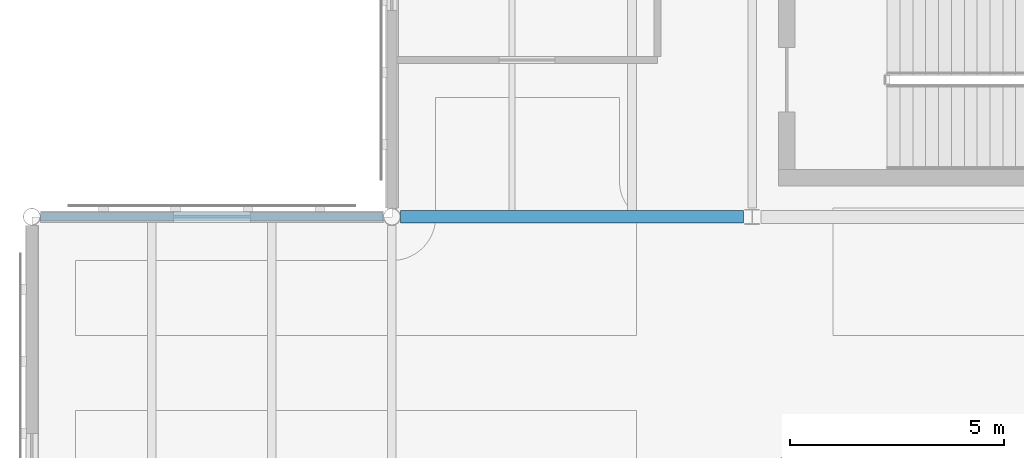
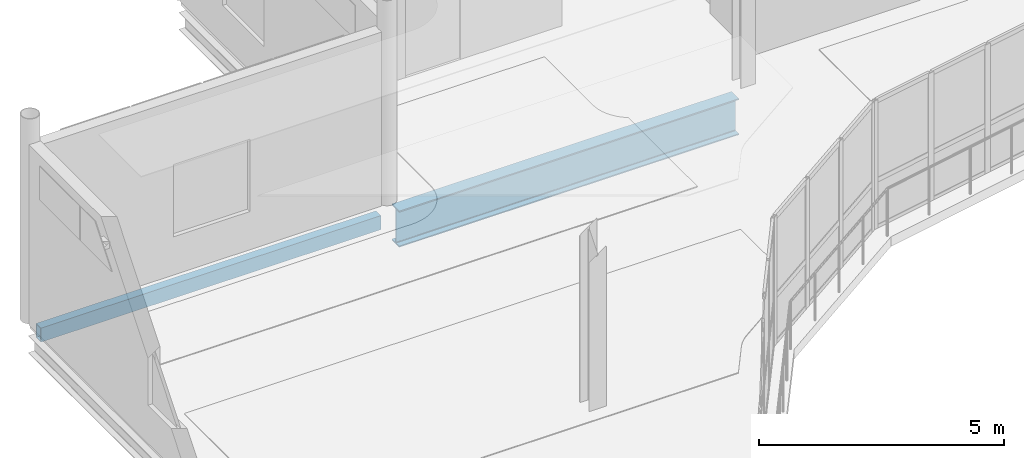
# One storey, part 27 of 104: 2 beams.
"""IFC4 building model written with IfcOpenShell, lengths in metres."""

import ifcopenshell
import ifcopenshell.guid

model = None  # the IFC model being written
_history = None  # IfcOwnerHistory: only IFC2X3 demands one
_inside = {}  # id of a spatial element -> (the spatial element, [elements in it])
_under = {}  # id of a project, library or spatial element -> (it, [spatial elements below it])
_declared = {}  # id of a project -> (the project, [libraries it declares])
_typed = {}  # id of a type object -> (the type object, [elements of that type])
_made_of = {}  # id of a material, layer set ... -> (it, [elements and type objects made of it])


def new_model(schema):
    """Start an empty IFC model of exactly this schema.

    Asked for "IFC4X3", IfcOpenShell would pick the latest addendum, in which some entities
    have other attributes; the version numbers below select the first issue.
    IFC2X3 requires an IfcOwnerHistory on every rooted entity: one is made here for all.
    """
    global model, _history
    if schema == "IFC4X3":
        model = ifcopenshell.file(schema_version=(4, 3, 0, 0))
    else:
        model = ifcopenshell.file(schema=schema)
    _inside.clear()
    _under.clear()
    _declared.clear()
    _typed.clear()
    _made_of.clear()
    _history = None
    if model.schema == "IFC2X3":
        org = make("IfcOrganization", Name="unknown")
        user = make(
            "IfcPersonAndOrganization",
            ThePerson=make("IfcPerson", FamilyName="unknown"),
            TheOrganization=org,
        )
        app = make(
            "IfcApplication",
            ApplicationDeveloper=org,
            Version="unknown",
            ApplicationFullName="unknown",
            ApplicationIdentifier="unknown",
        )
        _history = make(
            "IfcOwnerHistory",
            OwningUser=user,
            OwningApplication=app,
            ChangeAction="ADDED",
            CreationDate=0,
        )
    return model


def make(cls, **values):
    """One entity of the class cls with the attributes given. An attribute that is None is left unset."""
    return model.create_entity(
        cls, **{name: value for name, value in values.items() if value is not None}
    )


def rooted(cls, **values):
    """An entity with a GlobalId (a new one), such as an element, a storey or a relation."""
    return make(cls, GlobalId=ifcopenshell.guid.new(), OwnerHistory=_history, **values)


def si_unit(unit_type, name, prefix=None):
    """IfcSIUnit, for example si_unit("LENGTHUNIT", "METRE", prefix="MILLI")."""
    return make("IfcSIUnit", UnitType=unit_type, Prefix=prefix, Name=name)


def assignment(units):
    """IfcUnitAssignment: the units of a project."""
    return None if units is None else make("IfcUnitAssignment", Units=units)


def point(xyz):
    """IfcCartesianPoint."""
    return None if xyz is None else make("IfcCartesianPoint", Coordinates=xyz)


def direction(xyz):
    """IfcDirection."""
    return None if xyz is None else make("IfcDirection", DirectionRatios=xyz)


def frame(location, z_axis=None, x_axis=None):
    """IfcAxis2Placement3D, a coordinate frame: its origin and axes. An axis left out is left unset."""
    return make(
        "IfcAxis2Placement3D",
        Location=point(location),
        Axis=direction(z_axis),
        RefDirection=direction(x_axis),
    )


def frame_2d(location, x_axis=None):
    """IfcAxis2Placement2D, a coordinate frame in the plane: its origin and x axis."""
    return make(
        "IfcAxis2Placement2D", Location=point(location), RefDirection=direction(x_axis)
    )


def origin():
    """The frame at (0, 0, 0) with its axes left unset."""
    return frame((0.0, 0.0, 0.0))


def origin_2d():
    """The frame at (0, 0) in the plane with its x axis left unset."""
    return frame_2d((0.0, 0.0))


def place(relative_to, where):
    """IfcLocalPlacement: puts the frame where relative to a parent placement (None: the world)."""
    return make(
        "IfcLocalPlacement", PlacementRelTo=relative_to, RelativePlacement=where
    )


def context(
    kind, dimensions, precision=None, world=None, true_north=None, identifier=None
):
    """IfcGeometricRepresentationContext, for example the 3D "Model" context."""
    return make(
        "IfcGeometricRepresentationContext",
        ContextIdentifier=identifier,
        ContextType=kind,
        CoordinateSpaceDimension=dimensions,
        Precision=precision,
        WorldCoordinateSystem=world,
        TrueNorth=true_north,
    )


def subcontext(parent, identifier, kind, view, scale=None):
    """IfcGeometricRepresentationSubContext, for example "Body" below "Model"."""
    return make(
        "IfcGeometricRepresentationSubContext",
        ContextIdentifier=identifier,
        ContextType=kind,
        ParentContext=parent,
        TargetScale=scale,
        TargetView=view,
    )


def project(units=None, contexts=None):
    """IfcProject with its units and contexts."""
    return rooted(
        "IfcProject",
        Name="project",
        RepresentationContexts=contexts,
        UnitsInContext=assignment(units),
    )


def spatial(cls, under=None, at=None, **own):
    """A site, building, storey or space (cls), placed at a placement, below another one or the project."""
    s = rooted(cls, ObjectPlacement=at, **own)
    if under is not None:
        _under.setdefault(under.id(), (under, []))[1].append(s)
    return s


def profile(cls, at=None, kind="AREA", **sizes):
    """A parametric profile (cls). Its sizes go by their IFC names, for example OverallWidth=200.0."""
    return make(cls, ProfileType=kind, Position=at, **sizes)


def hollow_rectangle(**sizes):
    """IfcRectangleHollowProfileDef."""
    return profile("IfcRectangleHollowProfileDef", **sizes)


def i_section(**sizes):
    """IfcIShapeProfileDef."""
    return profile("IfcIShapeProfileDef", **sizes)


def extrude(swept, where, along, depth):
    """IfcExtrudedAreaSolid: the profile swept, set in the frame where, extruded along a direction by depth."""
    return make(
        "IfcExtrudedAreaSolid",
        SweptArea=swept,
        Position=where,
        ExtrudedDirection=direction(along),
        Depth=depth,
    )


def shape(context_of_items, identifier, shape_type, items):
    """IfcShapeRepresentation: the items that make up one representation, for example the "Body"."""
    return make(
        "IfcShapeRepresentation",
        ContextOfItems=context_of_items,
        RepresentationIdentifier=identifier,
        RepresentationType=shape_type,
        Items=items,
    )


def material(Name=None, Category=None):
    """IfcMaterial."""
    return make("IfcMaterial", Name=Name, Category=Category)


def material_profile(
    of_material, cross_section, Name=None, Category=None, Priority=None
):
    """IfcMaterialProfile: a cross section and its material."""
    return make(
        "IfcMaterialProfile",
        Name=Name,
        Material=of_material,
        Profile=cross_section,
        Priority=Priority,
        Category=Category,
    )


def profile_set(profiles, Name=None, composite=None):
    """IfcMaterialProfileSet."""
    return make(
        "IfcMaterialProfileSet",
        Name=Name,
        MaterialProfiles=profiles,
        CompositeProfile=composite,
    )


def made_of(thing, what):
    """Note that an element or type object is made of a material, layer set ...; save() writes the relation."""
    if what is not None:
        _made_of.setdefault(what.id(), (what, []))[1].append(thing)
    return thing


def type_object(cls, material=None, **own):
    """A type object (cls), such as IfcWallType, which elements share."""
    return made_of(rooted(cls, **own), material)


def element(
    cls,
    number,
    at=None,
    inside=None,
    cuts=None,
    type_object=None,
    material=None,
    context=None,
    identifier="Body",
    shape_type=None,
    held_by="IfcProductDefinitionShape",
    body=None,
    shapes=None,
    **own,
):
    """One element of the class cls, such as IfcWall. Its Tag is "e" and its number.

    at: its placement. inside: the storey or other place that contains it. cuts: it is an
    opening in that element (IfcRelVoidsElement). A single representation is given by context,
    identifier, shape_type and body (its items); several are given by shapes. held_by: the class
    of the entity that holds the representations. save() writes the other relations.
    """
    e = rooted(cls, Tag="e%d" % number, ObjectPlacement=at, **own)
    if body is not None:
        shapes = [shape(context, identifier, shape_type, body)]
    if shapes is not None:
        e.Representation = make(held_by, Representations=shapes)
    if inside is not None:
        _inside.setdefault(inside.id(), (inside, []))[1].append(e)
    if cuts is not None:
        rooted(
            "IfcRelVoidsElement", RelatingBuildingElement=cuts, RelatedOpeningElement=e
        )
    if type_object is not None:
        _typed.setdefault(type_object.id(), (type_object, []))[1].append(e)
    return made_of(e, material)


def aggregate(whole, parts):
    """IfcRelAggregates: a whole, such as a stair, and the parts it consists of."""
    return rooted("IfcRelAggregates", RelatingObject=whole, RelatedObjects=parts)


def save(model, path):
    """Write the relations noted so far, then the file.

    IfcRelAggregates (storeys below a building ...), IfcRelContainedInSpatialStructure (elements
    in a storey), IfcRelDefinesByType, IfcRelAssociatesMaterial and IfcRelDeclares: one each for
    every whole, place, type object, material and project.
    """
    for whole, parts in _under.values():
        aggregate(whole, parts)
    for where, things in _inside.values():
        rooted(
            "IfcRelContainedInSpatialStructure",
            RelatedElements=things,
            RelatingStructure=where,
        )
    for kind, things in _typed.values():
        rooted("IfcRelDefinesByType", RelatedObjects=things, RelatingType=kind)
    for what, things in _made_of.values():
        rooted("IfcRelAssociatesMaterial", RelatedObjects=things, RelatingMaterial=what)
    for by, libraries in _declared.values():
        rooted("IfcRelDeclares", RelatingContext=by, RelatedDefinitions=libraries)
    model.write(path)


model = new_model("IFC4")

# Units and contexts
model_context = context("Model", 3, precision=1e-05, world=origin(), true_north=direction((0.0, 1.0)))
body_context = subcontext(model_context, "Body", "Model", "MODEL_VIEW")
ifc_project = project(units=[si_unit("LENGTHUNIT", "METRE"), si_unit("AREAUNIT", "SQUARE_METRE"), si_unit("VOLUMEUNIT", "CUBIC_METRE"), si_unit("PLANEANGLEUNIT", "RADIAN"), si_unit("MASSUNIT", "GRAM", prefix="KILO"), si_unit("THERMODYNAMICTEMPERATUREUNIT", "KELVIN")], contexts=[model_context])

# Site, building, storey
site_placement = place(None, origin())
site = spatial("IfcSite", under=ifc_project, at=site_placement, CompositionType="ELEMENT")
building_placement = place(site_placement, origin())
building = spatial("IfcBuilding", under=site, at=building_placement, Name="Lustrewick Department Store", CompositionType="ELEMENT")
storey_placement = place(building_placement, frame((0.0, 0.0, 11.39990234375)))
storey = spatial("IfcBuildingStorey", under=building, at=storey_placement, Name="L03", CompositionType="ELEMENT", Elevation=11.39990234375)

# Beams
ifc_material = material(Name="Structural steel Q355C", Category="steel")
ifc_material_profile_1 = material_profile(ifc_material, i_section(OverallWidth=0.300048828125, OverallDepth=0.89990234375, WebThickness=0.01611328125, FlangeThickness=0.028076171875, FilletRadius=0.02392578125, at=origin_2d()), Name="HN 900x300x16x28")
ifc_profile_set_1 = profile_set([ifc_material_profile_1], Name="Structural steel Q355C")
beam_type_1 = type_object("IfcBeamType", Name="G02", PredefinedType="BEAM", material=ifc_profile_set_1)
beam_1_placement = place(storey_placement, frame((17.0029296875, 84.0, -0.704833984375), z_axis=(1.0, 0.0, 0.0), x_axis=(0.0, 1.0, 0.0)))
element("IfcBeam", 1, at=beam_1_placement, inside=storey, type_object=beam_type_1, Name="L03 V1 Girder G02", PredefinedType="BEAM", context=body_context, shape_type="SweptSolid", body=[
    extrude(i_section(OverallWidth=0.300048828125, OverallDepth=0.89990234375, WebThickness=0.01611328125, FlangeThickness=0.028076171875, FilletRadius=0.02392578125, at=origin_2d()), origin(), (0.0, 0.0, 1.0), 7.99462890625),
])
ifc_material_profile_2 = material_profile(ifc_material, hollow_rectangle(XDim=0.199951171875, YDim=0.35009765625, WallThickness=0.011962890625, at=origin_2d()), Name="RHS 350x200x12")
ifc_profile_set_2 = profile_set([ifc_material_profile_2], Name="Structural steel Q355C")
beam_type_2 = type_object("IfcBeamType", Name="SP03", PredefinedType="SPANDREL", material=ifc_profile_set_2)
beam_2_placement = place(storey_placement, frame((8.60302734375, 84.0, -0.429931640625), z_axis=(1.0, 0.0, 0.0), x_axis=(0.0, 1.0, 0.0)))
element("IfcBeam", 2, at=beam_2_placement, inside=storey, type_object=beam_type_2, Name="L03 V1 Girder SP03", PredefinedType="SPANDREL", context=body_context, shape_type="SweptSolid", body=[
    extrude(hollow_rectangle(XDim=0.199951171875, YDim=0.35009765625, WallThickness=0.011962890625, at=origin_2d()), origin(), (0.0, 0.0, 1.0), 7.993896484375),
])

save(model, "model.ifc")
